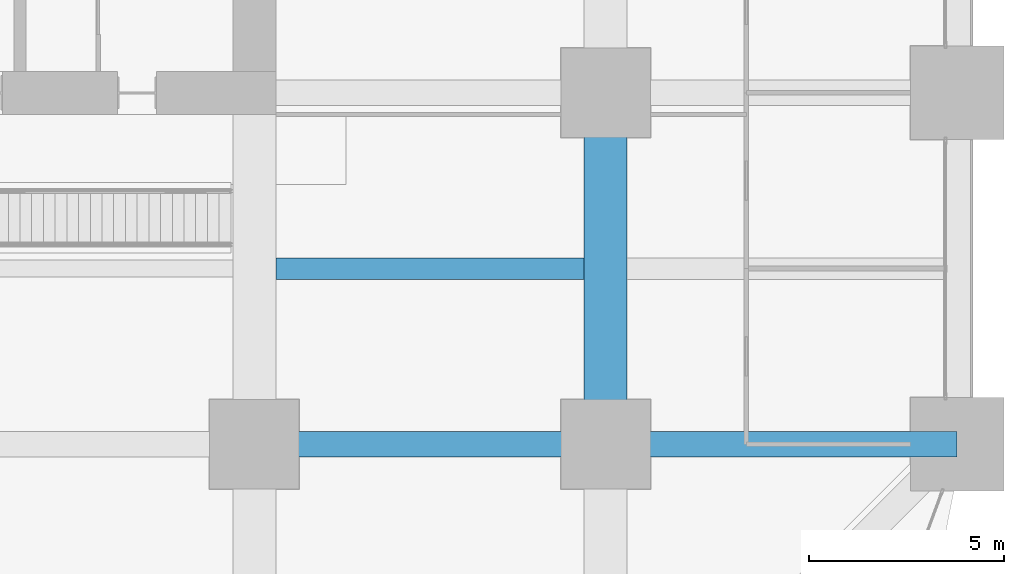
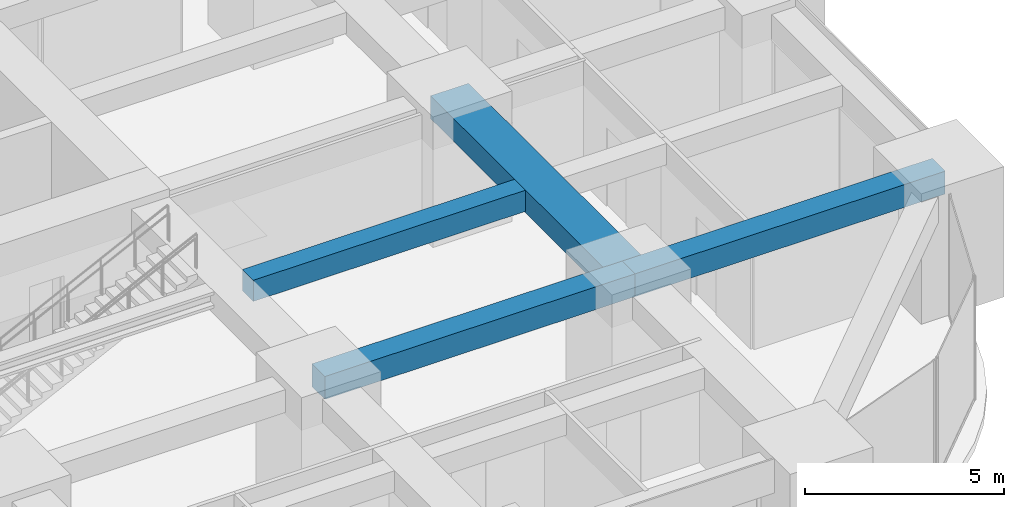
# One storey, part 17 of 45: 4 beams.
"""IFC4 building model written with IfcOpenShell, lengths in metres."""

from ifc_helpers import new_model, si_unit, direction, frame, origin, origin_2d, place, context, subcontext, project, spatial, rectangle, extrude, material, material_profile, profile_set, type_object, element, save


model = new_model("IFC4")

# Units and contexts
model_context = context("Model", 3, precision=1e-05, world=origin(), true_north=direction((0.0, 1.0)))
body_context = subcontext(model_context, "Body", "Model", "MODEL_VIEW")
ifc_project = project(units=[si_unit("LENGTHUNIT", "METRE"), si_unit("AREAUNIT", "SQUARE_METRE"), si_unit("VOLUMEUNIT", "CUBIC_METRE"), si_unit("PLANEANGLEUNIT", "RADIAN"), si_unit("MASSUNIT", "GRAM", prefix="KILO")], contexts=[model_context])

# Site, building, storey
site_placement = place(None, origin())
site = spatial("IfcSite", under=ifc_project, at=site_placement, CompositionType="ELEMENT")
building_placement = place(site_placement, origin())
building = spatial("IfcBuilding", under=site, at=building_placement, Name="Zorevar Civic Tower", CompositionType="ELEMENT")
storey_placement = place(building_placement, frame((0.0, 0.0, 23.800048828125)))
storey = spatial("IfcBuildingStorey", under=building, at=storey_placement, Name="L05", CompositionType="ELEMENT", Elevation=23.800048828125)

# Beams
ifc_material_1 = material(Name="Concrete C50/60", Category="concrete")
ifc_material_profile_1 = material_profile(ifc_material_1, rectangle(XDim=1.10009765625, YDim=0.699951171875, at=origin_2d()), Name="RC 1100x700")
ifc_profile_set_1 = profile_set([ifc_material_profile_1], Name="Concrete C50/60")
beam_type_1 = type_object("IfcBeamType", Name="Beam RC 1100x700", PredefinedType="BEAM", material=ifc_profile_set_1)
beam_1_placement = place(storey_placement, frame((54.0, 9.0, 3.39990234375), z_axis=(0.0, 1.0, 0.0), x_axis=(-1.0, 0.0, 0.0)))
element("IfcBeam", 1, at=beam_1_placement, inside=storey, type_object=beam_type_1, Name="Girder L06", PredefinedType="BEAM", context=body_context, shape_type="SweptSolid", body=[
    extrude(rectangle(XDim=1.10009765625, YDim=0.699951171875, at=origin_2d()), origin(), (0.0, 0.0, 1.0), 9.0),
])
ifc_material_2 = material(Name="Concrete C50/60", Category="concrete")
ifc_material_profile_2 = material_profile(ifc_material_2, rectangle(XDim=0.550048828125, YDim=0.64990234375, at=origin_2d()), Name="RC 550x650")
ifc_profile_set_2 = profile_set([ifc_material_profile_2], Name="Concrete C50/60")
beam_type_2 = type_object("IfcBeamType", Name="Beam RC 550x650", PredefinedType="BEAM", material=ifc_profile_set_2)
beam_2_placement = place(storey_placement, frame((45.550048828125, 13.5, 3.425048828125), z_axis=(1.0, 0.0, 0.0), x_axis=(0.0, 1.0, 0.0)))
element("IfcBeam", 2, at=beam_2_placement, inside=storey, type_object=beam_type_2, Name="Secondary beam L06", PredefinedType="BEAM", context=body_context, shape_type="SweptSolid", body=[
    extrude(rectangle(XDim=0.550048828125, YDim=0.64990234375, at=origin_2d()), origin(), (0.0, 0.0, 1.0), 7.89990234375),
])
ifc_material_3 = material(Name="Concrete C50/60", Category="concrete")
ifc_material_profile_3 = material_profile(ifc_material_3, rectangle(XDim=0.64990234375, YDim=0.699951171875, at=origin_2d()), Name="RC 650x700")
ifc_profile_set_3 = profile_set([ifc_material_profile_3], Name="Concrete C50/60")
beam_type_3 = type_object("IfcBeamType", Name="Beam RC 650x700", PredefinedType="BEAM", material=ifc_profile_set_3)
for number, where, z_axis, x_axis, name in (
    (3, (45.0, 9.0, 3.39990234375), (1.0, 0.0, 0.0), (0.0, 1.0, 0.0), "Girder L06"),
    (4, (54.0, 9.0, 3.39990234375), (1.0, 0.0, 0.0), (0.0, 1.0, 0.0), "Girder L06"),
):
    element("IfcBeam", number, at=place(storey_placement, frame(where, z_axis=z_axis, x_axis=x_axis)), inside=storey, type_object=beam_type_3, Name=name, PredefinedType="BEAM", context=body_context, shape_type="SweptSolid", body=[
        extrude(rectangle(XDim=0.64990234375, YDim=0.699951171875, at=origin_2d()), origin(), (0.0, 0.0, 1.0), 9.0),
    ])

save(model, "model.ifc")
